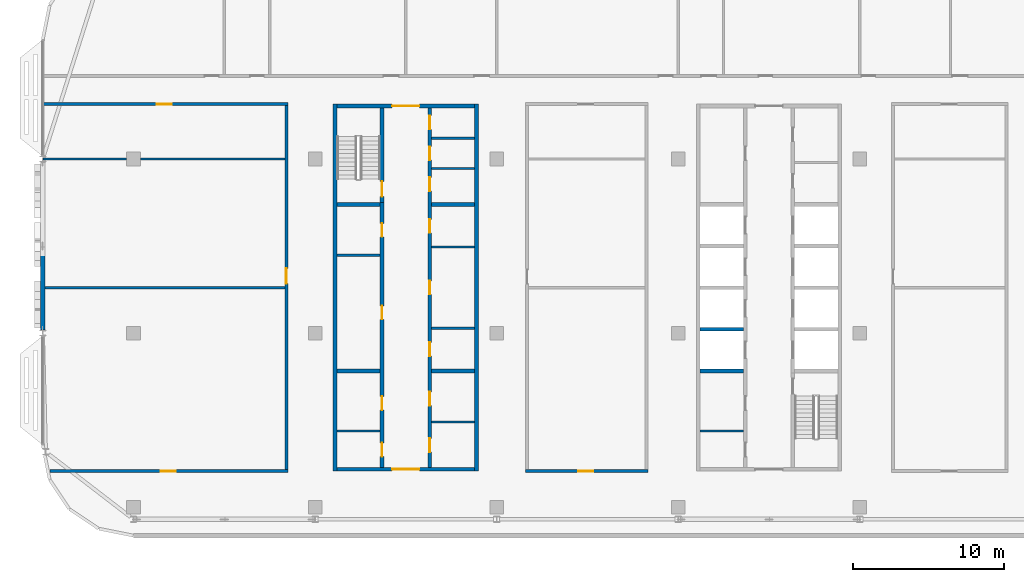
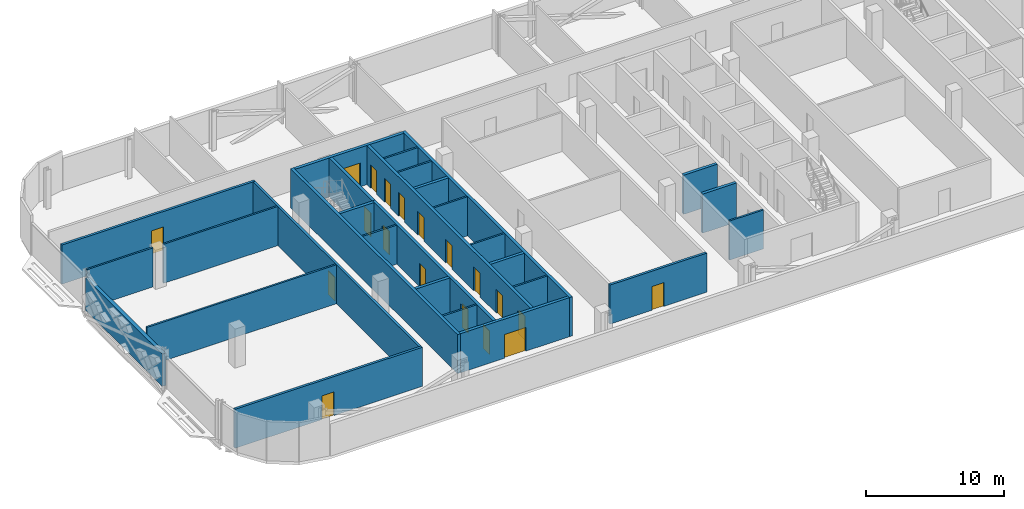
# One storey, part 13 of 28: 29 walls, 19 doors, 19 openings.
"""IFC4 building model written with IfcOpenShell, lengths in metres."""

from ifc_helpers import new_model, si_unit, direction, frame, frame_2d, origin, place, context, subcontext, project, spatial, rectangle, extrude, material, layer, layer_set, type_object, element, fill, save


model = new_model("IFC4")

# Units and contexts
model_context = context("Model", 3, precision=1e-05, world=origin(), true_north=direction((0.0, 1.0)))
body_context = subcontext(model_context, "Body", "Model", "MODEL_VIEW")
ifc_project = project(units=[si_unit("LENGTHUNIT", "METRE"), si_unit("AREAUNIT", "SQUARE_METRE"), si_unit("VOLUMEUNIT", "CUBIC_METRE"), si_unit("PLANEANGLEUNIT", "RADIAN"), si_unit("MASSUNIT", "GRAM", prefix="KILO")], contexts=[model_context])

# Site, building, storey
site_placement = place(None, origin())
site = spatial("IfcSite", under=ifc_project, at=site_placement, CompositionType="ELEMENT")
building_placement = place(site_placement, origin())
building = spatial("IfcBuilding", under=site, at=building_placement, Name="Mahtab Terrace Research Tower", CompositionType="ELEMENT")
storey_placement = place(building_placement, frame((0.0, 0.0, 270.89990234375)))
storey = spatial("IfcBuildingStorey", under=building, at=storey_placement, Name="L66", CompositionType="ELEMENT", Elevation=270.89990234375)

# Walls
ifc_material_1 = material(Name="Gypsum board partition")
ifc_layer_1 = layer(ifc_material_1, 0.14990234375)
ifc_layer_set_1 = layer_set([ifc_layer_1], Name="Core partition 150")
wall_type_1 = type_object("IfcWallType", Name="Core partition 150", PredefinedType="PARTITIONING", material=ifc_layer_set_1)
for number, where, z_axis, x_axis, name in (
    (1, (-28.550048828125, 5.14990234375, 0.0), (0.0, 0.0, 1.0), (1.0, 0.0, 0.0), "Core wall A pWL215"),
    (2, (-22.300048828125, 0.3125, 0.0), (0.0, 0.0, 1.0), (1.0, 0.0, 0.0), "Core wall A pEL-269"),
    (3, (-22.300048828125, 5.6875, 0.0), (0.0, 0.0, 1.0), (1.0, 0.0, 0.0), "Core wall A pEL269"),
    (4, (-28.550048828125, -6.47509765625, 0.0), (0.0, 0.0, 1.0), (1.0, 0.0, 0.0), "Core wall A pWS-948"),
    (5, (-22.300048828125, -5.875, 0.0), (0.0, 0.0, 1.0), (1.0, 0.0, 0.0), "Core wall A pES-888"),
    (6, (-22.300048828125, 10.875, 0.0), (0.0, 0.0, 1.0), (1.0, 0.0, 0.0), "Core wall A pEN788"),
    (7, (-22.300048828125, 12.875, 0.0), (0.0, 0.0, 1.0), (1.0, 0.0, 0.0), "Core wall A pEN988"),
    (8, (-4.550048828125, -6.47509765625, 0.0), (0.0, 0.0, 1.0), (1.0, 0.0, 0.0), "Core wall B pWS-948"),
):
    element("IfcWall", number, at=place(storey_placement, frame(where, z_axis=z_axis, x_axis=x_axis)), inside=storey, type_object=wall_type_1, Name=name, PredefinedType="PARTITIONING", context=body_context, shape_type="SweptSolid", body=[
        extrude(rectangle(XDim=2.85009765625, YDim=0.14990234375, at=frame_2d((1.425048828125, 0.0))), origin(), (0.0, 0.0, 1.0), 3.460205078125),
    ])
ifc_material_2 = material(Name="Concrete C70/85", Category="concrete")
ifc_layer_2 = layer(ifc_material_2, 0.25)
ifc_layer_set_2 = layer_set([ifc_layer_2], Name="Core wall 250")
wall_type_2 = type_object("IfcWallType", Name="Core wall 250", PredefinedType="SOLIDWALL", material=ifc_layer_set_2)
for number, where, z_axis, x_axis, name in (
    (9, (-28.675048828125, 15.125, 0.0), (0.0, 0.0, 1.0), (0.0, -1.0, 0.0), "Core wall A outerW"),
    (10, (-19.324951171875, -9.125, 0.0), (0.0, 0.0, 1.0), (0.0, 1.0, 0.0), "Core wall A outerE"),
):
    element("IfcWall", number, at=place(storey_placement, frame(where, z_axis=z_axis, x_axis=x_axis)), inside=storey, type_object=wall_type_2, Name=name, PredefinedType="SOLIDWALL", context=body_context, shape_type="SweptSolid", body=[
        extrude(rectangle(XDim=24.25, YDim=0.25, at=frame_2d((12.125, 0.0))), origin(), (0.0, 0.0, 1.0), 3.460205078125),
    ])

# Wall, opening, door
wall_1_placement = place(storey_placement, frame((-19.449951171875, -9.0, 0.0), z_axis=(0.0, 0.0, 1.0), x_axis=(-1.0, 0.0, 0.0)))
wall_1 = element("IfcWall", 11, at=wall_1_placement, inside=storey, type_object=wall_type_2, Name="Core wall A endS", PredefinedType="SOLIDWALL", context=body_context, shape_type="SweptSolid", body=[
    extrude(rectangle(XDim=9.10009765625, YDim=0.25, at=frame_2d((4.550048828125, 0.0))), origin(), (0.0, 0.0, 1.0), 3.460205078125),
])
opening_1_placement = place(wall_1_placement, frame((3.64990234375, 0.0, 0.0)))
opening_1 = element("IfcOpeningElement", 12, at=opening_1_placement, cuts=wall_1, Name="Opening A-S1", PredefinedType="OPENING", context=body_context, shape_type="SweptSolid", body=[
    extrude(rectangle(XDim=1.800048828125, YDim=2.10009765625, at=frame_2d((0.89990234375, 1.050048828125))), frame((0.0, 0.135009765625, 0.0), z_axis=(0.0, -1.0, 0.0), x_axis=(1.0, 0.0, 0.0)), (0.0, 0.0, 1.0), 0.27001953125),
])
ifc_material_3 = material(Name="Steel fire door", Category="steel")
door_type_1 = type_object("IfcDoorType", Name="Lobby double door 1800x2100 1 HR", OperationType="DOUBLE_DOOR_SINGLE_SWING", PredefinedType="DOOR", material=ifc_material_3)
door_1_placement = place(opening_1_placement, origin())
door_1 = element("IfcDoor", 13, at=door_1_placement, inside=storey, type_object=door_type_1, Name="Core entrance door A S", OperationType="DOUBLE_DOOR_SINGLE_SWING", OverallHeight=2.10009765625, OverallWidth=1.800048828125, PredefinedType="DOOR", context=body_context, shape_type="SweptSolid", body=[
    extrude(rectangle(XDim=1.800048828125, YDim=2.10009765625, at=frame_2d((0.89990234375, 1.050048828125))), frame((0.0, 0.02490234375, 0.0), z_axis=(0.0, -1.0, 0.0), x_axis=(1.0, 0.0, 0.0)), (0.0, 0.0, 1.0), 0.050048828125),
])
fill(opening_1, door_1)

wall_2_placement = place(storey_placement, frame((-28.550048828125, 15.0, 0.0), z_axis=(0.0, 0.0, 1.0), x_axis=(1.0, 0.0, 0.0)))
wall_2 = element("IfcWall", 14, at=wall_2_placement, inside=storey, type_object=wall_type_2, Name="Core wall A endN", PredefinedType="SOLIDWALL", context=body_context, shape_type="SweptSolid", body=[
    extrude(rectangle(XDim=9.10009765625, YDim=0.25, at=frame_2d((4.550048828125, 0.0))), origin(), (0.0, 0.0, 1.0), 3.460205078125),
])
opening_2_placement = place(wall_2_placement, frame((3.64990234375, 0.0, 0.0)))
opening_2 = element("IfcOpeningElement", 15, at=opening_2_placement, cuts=wall_2, Name="Opening A-N1", PredefinedType="OPENING", context=body_context, shape_type="SweptSolid", body=[
    extrude(rectangle(XDim=1.800048828125, YDim=2.10009765625, at=frame_2d((0.89990234375, 1.050048828125))), frame((0.0, 0.135009765625, 0.0), z_axis=(0.0, -1.0, 0.0), x_axis=(1.0, 0.0, 0.0)), (0.0, 0.0, 1.0), 0.27001953125),
])
door_2_placement = place(opening_2_placement, origin())
door_2 = element("IfcDoor", 16, at=door_2_placement, inside=storey, type_object=door_type_1, Name="Core entrance door A N", OperationType="DOUBLE_DOOR_SINGLE_SWING", OverallHeight=2.10009765625, OverallWidth=1.800048828125, PredefinedType="DOOR", context=body_context, shape_type="SweptSolid", body=[
    extrude(rectangle(XDim=1.800048828125, YDim=2.10009765625, at=frame_2d((0.89990234375, 1.050048828125))), frame((0.0, 0.02490234375, 0.0), z_axis=(0.0, -1.0, 0.0), x_axis=(1.0, 0.0, 0.0)), (0.0, 0.0, 1.0), 0.050048828125),
])
fill(opening_2, door_2)

# Wall, openings, doors
wall_3_placement = place(storey_placement, frame((-25.574951171875, -8.875, 0.0), z_axis=(0.0, 0.0, 1.0), x_axis=(0.0, 1.0, 0.0)))
wall_3 = element("IfcWall", 17, at=wall_3_placement, inside=storey, type_object=wall_type_2, Name="Core wall A innerWSL", PredefinedType="SOLIDWALL", context=body_context, shape_type="SweptSolid", body=[
    extrude(rectangle(XDim=17.5, YDim=0.25, at=frame_2d((8.75, 0.0))), origin(), (0.0, 0.0, 1.0), 3.460205078125),
])
opening_3_placement = place(wall_3_placement, frame((9.77490234375, 0.0, 0.0)))
opening_3 = element("IfcOpeningElement", 18, at=opening_3_placement, cuts=wall_3, Name="Opening A-R1", PredefinedType="OPENING", context=body_context, shape_type="SweptSolid", body=[
    extrude(rectangle(XDim=0.89990234375, YDim=2.10009765625, at=frame_2d((0.449951171875, 1.050048828125))), frame((0.0, 0.135009765625, 0.0), z_axis=(0.0, -1.0, 0.0), x_axis=(1.0, 0.0, 0.0)), (0.0, 0.0, 1.0), 0.27001953125),
])
opening_4_placement = place(wall_3_placement, frame((15.22509765625, 0.0, 0.0)))
opening_4 = element("IfcOpeningElement", 19, at=opening_4_placement, cuts=wall_3, Name="Opening A-R2", PredefinedType="OPENING", context=body_context, shape_type="SweptSolid", body=[
    extrude(rectangle(XDim=0.89990234375, YDim=2.10009765625, at=frame_2d((0.449951171875, 1.050048828125))), frame((0.0, 0.135009765625, 0.0), z_axis=(0.0, -1.0, 0.0), x_axis=(1.0, 0.0, 0.0)), (0.0, 0.0, 1.0), 0.27001953125),
])
opening_5_placement = place(wall_3_placement, frame((0.71240234375, 0.0, 0.0)))
opening_5 = element("IfcOpeningElement", 20, at=opening_5_placement, cuts=wall_3, Name="Opening A-R6", PredefinedType="OPENING", context=body_context, shape_type="SweptSolid", body=[
    extrude(rectangle(XDim=0.89990234375, YDim=2.10009765625, at=frame_2d((0.449951171875, 1.050048828125))), frame((0.0, 0.135009765625, 0.0), z_axis=(0.0, -1.0, 0.0), x_axis=(1.0, 0.0, 0.0)), (0.0, 0.0, 1.0), 0.27001953125),
])
opening_6_placement = place(wall_3_placement, frame((3.78759765625, 0.0, 0.0)))
opening_6 = element("IfcOpeningElement", 21, at=opening_6_placement, cuts=wall_3, Name="Opening A-R7", PredefinedType="OPENING", context=body_context, shape_type="SweptSolid", body=[
    extrude(rectangle(XDim=0.89990234375, YDim=2.10009765625, at=frame_2d((0.449951171875, 1.050048828125))), frame((0.0, 0.135009765625, 0.0), z_axis=(0.0, -1.0, 0.0), x_axis=(1.0, 0.0, 0.0)), (0.0, 0.0, 1.0), 0.27001953125),
])
door_type_2 = type_object("IfcDoorType", Name="Room door 900x2100 1 HR", OperationType="NOTDEFINED", PredefinedType="DOOR", material=ifc_material_3)
door_3_placement = place(opening_3_placement, origin())
door_3 = element("IfcDoor", 22, at=door_3_placement, inside=storey, type_object=door_type_2, Name="Chemical store door", OperationType="SINGLE_SWING_LEFT", OverallHeight=2.10009765625, OverallWidth=0.89990234375, PredefinedType="DOOR", context=body_context, shape_type="SweptSolid", body=[
    extrude(rectangle(XDim=0.89990234375, YDim=2.10009765625, at=frame_2d((0.449951171875, 1.050048828125))), frame((0.0, 0.02490234375, 0.0), z_axis=(0.0, -1.0, 0.0), x_axis=(1.0, 0.0, 0.0)), (0.0, 0.0, 1.0), 0.050048828125),
])
fill(opening_3, door_3)
door_4_placement = place(opening_4_placement, origin())
door_4 = element("IfcDoor", 23, at=door_4_placement, inside=storey, type_object=door_type_2, Name="Waste room door", OperationType="SINGLE_SWING_RIGHT", OverallHeight=2.10009765625, OverallWidth=0.89990234375, PredefinedType="DOOR", context=body_context, shape_type="SweptSolid", body=[
    extrude(rectangle(XDim=0.89990234375, YDim=2.10009765625, at=frame_2d((0.449951171875, 1.050048828125))), frame((0.0, 0.02490234375, 0.0), z_axis=(0.0, -1.0, 0.0), x_axis=(1.0, 0.0, 0.0)), (0.0, 0.0, 1.0), 0.050048828125),
])
fill(opening_4, door_4)
door_5_placement = place(opening_5_placement, origin())
door_5 = element("IfcDoor", 24, at=door_5_placement, inside=storey, type_object=door_type_2, Name="Accessible WC door", OperationType="SINGLE_SWING_RIGHT", OverallHeight=2.10009765625, OverallWidth=0.89990234375, PredefinedType="DOOR", context=body_context, shape_type="SweptSolid", body=[
    extrude(rectangle(XDim=0.89990234375, YDim=2.10009765625, at=frame_2d((0.449951171875, 1.050048828125))), frame((0.0, 0.02490234375, 0.0), z_axis=(0.0, -1.0, 0.0), x_axis=(1.0, 0.0, 0.0)), (0.0, 0.0, 1.0), 0.050048828125),
])
fill(opening_5, door_5)
door_6_placement = place(opening_6_placement, origin())
door_6 = element("IfcDoor", 25, at=door_6_placement, inside=storey, type_object=door_type_2, Name="WC block door", OperationType="SINGLE_SWING_LEFT", OverallHeight=2.10009765625, OverallWidth=0.89990234375, PredefinedType="DOOR", context=body_context, shape_type="SweptSolid", body=[
    extrude(rectangle(XDim=0.89990234375, YDim=2.10009765625, at=frame_2d((0.449951171875, 1.050048828125))), frame((0.0, 0.02490234375, 0.0), z_axis=(0.0, -1.0, 0.0), x_axis=(1.0, 0.0, 0.0)), (0.0, 0.0, 1.0), 0.050048828125),
])
fill(opening_6, door_6)

# Wall, opening, door
wall_4_placement = place(storey_placement, frame((-25.574951171875, 14.875, 0.0), z_axis=(0.0, 0.0, 1.0), x_axis=(0.0, -1.0, 0.0)))
wall_4 = element("IfcWall", 26, at=wall_4_placement, inside=storey, type_object=wall_type_2, Name="Core wall A innerWN", PredefinedType="SOLIDWALL", context=body_context, shape_type="SweptSolid", body=[
    extrude(rectangle(XDim=6.25, YDim=0.25, at=frame_2d((3.125, 0.0))), origin(), (0.0, 0.0, 1.0), 3.460205078125),
])
opening_7_placement = place(wall_4_placement, frame((4.85009765625, 0.0, 0.0)))
opening_7 = element("IfcOpeningElement", 27, at=opening_7_placement, cuts=wall_4, Name="Opening A-ST1", PredefinedType="OPENING", context=body_context, shape_type="SweptSolid", body=[
    extrude(rectangle(XDim=1.0, YDim=2.10009765625, at=frame_2d((0.5, 1.050048828125))), frame((0.0, 0.135009765625, 0.0), z_axis=(0.0, -1.0, 0.0), x_axis=(1.0, 0.0, 0.0)), (0.0, 0.0, 1.0), 0.27001953125),
])
door_type_3 = type_object("IfcDoorType", Name="Stair door 1000x2100 1.5 HR", OperationType="NOTDEFINED", PredefinedType="DOOR", material=ifc_material_3)
door_7_placement = place(opening_7_placement, origin())
door_7 = element("IfcDoor", 28, at=door_7_placement, inside=storey, type_object=door_type_3, Name="Stair door ST1 L66", OperationType="SINGLE_SWING_LEFT", OverallHeight=2.10009765625, OverallWidth=1.0, PredefinedType="DOOR", context=body_context, shape_type="SweptSolid", body=[
    extrude(rectangle(XDim=1.0, YDim=2.10009765625, at=frame_2d((0.5, 1.050048828125))), frame((0.0, 0.02490234375, 0.0), z_axis=(0.0, -1.0, 0.0), x_axis=(1.0, 0.0, 0.0)), (0.0, 0.0, 1.0), 0.050048828125),
])
fill(opening_7, door_7)

# Wall, openings, doors
wall_5_placement = place(storey_placement, frame((-22.425048828125, 14.875, 0.0), z_axis=(0.0, 0.0, 1.0), x_axis=(0.0, -1.0, 0.0)))
wall_5 = element("IfcWall", 29, at=wall_5_placement, inside=storey, type_object=wall_type_2, Name="Core wall A innerESLN", PredefinedType="SOLIDWALL", context=body_context, shape_type="SweptSolid", body=[
    extrude(rectangle(XDim=23.75, YDim=0.25, at=frame_2d((11.875, 0.0))), origin(), (0.0, 0.0, 1.0), 3.460205078125),
])
opening_8_placement = place(wall_5_placement, frame((15.493896484375, 0.0, 0.0)))
opening_8 = element("IfcOpeningElement", 30, at=opening_8_placement, cuts=wall_5, Name="Opening A-R3", PredefinedType="OPENING", context=body_context, shape_type="SweptSolid", body=[
    extrude(rectangle(XDim=0.89990234375, YDim=2.10009765625, at=frame_2d((0.449951171875, 1.050048828125))), frame((0.0, 0.135009765625, 0.0), z_axis=(0.0, -1.0, 0.0), x_axis=(1.0, 0.0, 0.0)), (0.0, 0.0, 1.0), 0.27001953125),
])
opening_9_placement = place(wall_5_placement, frame((11.425048828125, 0.0, 0.0)))
opening_9 = element("IfcOpeningElement", 31, at=opening_9_placement, cuts=wall_5, Name="Opening A-R4", PredefinedType="OPENING", context=body_context, shape_type="SweptSolid", body=[
    extrude(rectangle(XDim=0.89990234375, YDim=2.10009765625, at=frame_2d((0.449951171875, 1.050048828125))), frame((0.0, 0.135009765625, 0.0), z_axis=(0.0, -1.0, 0.0), x_axis=(1.0, 0.0, 0.0)), (0.0, 0.0, 1.0), 0.27001953125),
])
opening_10_placement = place(wall_5_placement, frame((7.356201171875, 0.0, 0.0)))
opening_10 = element("IfcOpeningElement", 32, at=opening_10_placement, cuts=wall_5, Name="Opening A-R5", PredefinedType="OPENING", context=body_context, shape_type="SweptSolid", body=[
    extrude(rectangle(XDim=0.89990234375, YDim=2.10009765625, at=frame_2d((0.449951171875, 1.050048828125))), frame((0.0, 0.135009765625, 0.0), z_axis=(0.0, -1.0, 0.0), x_axis=(1.0, 0.0, 0.0)), (0.0, 0.0, 1.0), 0.27001953125),
])
opening_11_placement = place(wall_5_placement, frame((21.83740234375, 0.0, 0.0)))
opening_11 = element("IfcOpeningElement", 33, at=opening_11_placement, cuts=wall_5, Name="Opening A-R8", PredefinedType="OPENING", context=body_context, shape_type="SweptSolid", body=[
    extrude(rectangle(XDim=0.89990234375, YDim=2.10009765625, at=frame_2d((0.449951171875, 1.050048828125))), frame((0.0, 0.135009765625, 0.0), z_axis=(0.0, -1.0, 0.0), x_axis=(1.0, 0.0, 0.0)), (0.0, 0.0, 1.0), 0.27001953125),
])
opening_12_placement = place(wall_5_placement, frame((18.762451171875, 0.0, 0.0)))
opening_12 = element("IfcOpeningElement", 34, at=opening_12_placement, cuts=wall_5, Name="Opening A-R9", PredefinedType="OPENING", context=body_context, shape_type="SweptSolid", body=[
    extrude(rectangle(XDim=0.89990234375, YDim=2.10009765625, at=frame_2d((0.449951171875, 1.050048828125))), frame((0.0, 0.135009765625, 0.0), z_axis=(0.0, -1.0, 0.0), x_axis=(1.0, 0.0, 0.0)), (0.0, 0.0, 1.0), 0.27001953125),
])
opening_13_placement = place(wall_5_placement, frame((4.58740234375, 0.0, 0.0)))
opening_13 = element("IfcOpeningElement", 35, at=opening_13_placement, cuts=wall_5, Name="Opening A-R10", PredefinedType="OPENING", context=body_context, shape_type="SweptSolid", body=[
    extrude(rectangle(XDim=0.89990234375, YDim=2.10009765625, at=frame_2d((0.449951171875, 1.050048828125))), frame((0.0, 0.135009765625, 0.0), z_axis=(0.0, -1.0, 0.0), x_axis=(1.0, 0.0, 0.0)), (0.0, 0.0, 1.0), 0.27001953125),
])
opening_14_placement = place(wall_5_placement, frame((2.550048828125, 0.0, 0.0)))
opening_14 = element("IfcOpeningElement", 36, at=opening_14_placement, cuts=wall_5, Name="Opening A-R11", PredefinedType="OPENING", context=body_context, shape_type="SweptSolid", body=[
    extrude(rectangle(XDim=0.89990234375, YDim=2.10009765625, at=frame_2d((0.449951171875, 1.050048828125))), frame((0.0, 0.135009765625, 0.0), z_axis=(0.0, -1.0, 0.0), x_axis=(1.0, 0.0, 0.0)), (0.0, 0.0, 1.0), 0.27001953125),
])
opening_15_placement = place(wall_5_placement, frame((0.512451171875, 0.0, 0.0)))
opening_15 = element("IfcOpeningElement", 37, at=opening_15_placement, cuts=wall_5, Name="Opening A-R12", PredefinedType="OPENING", context=body_context, shape_type="SweptSolid", body=[
    extrude(rectangle(XDim=0.89990234375, YDim=2.10009765625, at=frame_2d((0.449951171875, 1.050048828125))), frame((0.0, 0.135009765625, 0.0), z_axis=(0.0, -1.0, 0.0), x_axis=(1.0, 0.0, 0.0)), (0.0, 0.0, 1.0), 0.27001953125),
])
door_8_placement = place(opening_8_placement, origin())
door_8 = element("IfcDoor", 38, at=door_8_placement, inside=storey, type_object=door_type_2, Name="Comms room door", OperationType="SINGLE_SWING_LEFT", OverallHeight=2.10009765625, OverallWidth=0.89990234375, PredefinedType="DOOR", context=body_context, shape_type="SweptSolid", body=[
    extrude(rectangle(XDim=0.89990234375, YDim=2.10009765625, at=frame_2d((0.449951171875, 1.050048828125))), frame((0.0, 0.02490234375, 0.0), z_axis=(0.0, -1.0, 0.0), x_axis=(1.0, 0.0, 0.0)), (0.0, 0.0, 1.0), 0.050048828125),
])
fill(opening_8, door_8)
door_9_placement = place(opening_9_placement, origin())
door_9 = element("IfcDoor", 39, at=door_9_placement, inside=storey, type_object=door_type_2, Name="Meeting alcove door", OperationType="SINGLE_SWING_RIGHT", OverallHeight=2.10009765625, OverallWidth=0.89990234375, PredefinedType="DOOR", context=body_context, shape_type="SweptSolid", body=[
    extrude(rectangle(XDim=0.89990234375, YDim=2.10009765625, at=frame_2d((0.449951171875, 1.050048828125))), frame((0.0, 0.02490234375, 0.0), z_axis=(0.0, -1.0, 0.0), x_axis=(1.0, 0.0, 0.0)), (0.0, 0.0, 1.0), 0.050048828125),
])
fill(opening_9, door_9)
door_10_placement = place(opening_10_placement, origin())
door_10 = element("IfcDoor", 40, at=door_10_placement, inside=storey, type_object=door_type_2, Name="Linen store door", OperationType="SINGLE_SWING_LEFT", OverallHeight=2.10009765625, OverallWidth=0.89990234375, PredefinedType="DOOR", context=body_context, shape_type="SweptSolid", body=[
    extrude(rectangle(XDim=0.89990234375, YDim=2.10009765625, at=frame_2d((0.449951171875, 1.050048828125))), frame((0.0, 0.02490234375, 0.0), z_axis=(0.0, -1.0, 0.0), x_axis=(1.0, 0.0, 0.0)), (0.0, 0.0, 1.0), 0.050048828125),
])
fill(opening_10, door_10)
door_11_placement = place(opening_11_placement, origin())
door_11 = element("IfcDoor", 41, at=door_11_placement, inside=storey, type_object=door_type_2, Name="Housekeeping store door", OperationType="SINGLE_SWING_RIGHT", OverallHeight=2.10009765625, OverallWidth=0.89990234375, PredefinedType="DOOR", context=body_context, shape_type="SweptSolid", body=[
    extrude(rectangle(XDim=0.89990234375, YDim=2.10009765625, at=frame_2d((0.449951171875, 1.050048828125))), frame((0.0, 0.02490234375, 0.0), z_axis=(0.0, -1.0, 0.0), x_axis=(1.0, 0.0, 0.0)), (0.0, 0.0, 1.0), 0.050048828125),
])
fill(opening_11, door_11)
door_12_placement = place(opening_12_placement, origin())
door_12 = element("IfcDoor", 42, at=door_12_placement, inside=storey, type_object=door_type_2, Name="Electrical riser room door", OperationType="SINGLE_SWING_LEFT", OverallHeight=2.10009765625, OverallWidth=0.89990234375, PredefinedType="DOOR", context=body_context, shape_type="SweptSolid", body=[
    extrude(rectangle(XDim=0.89990234375, YDim=2.10009765625, at=frame_2d((0.449951171875, 1.050048828125))), frame((0.0, 0.02490234375, 0.0), z_axis=(0.0, -1.0, 0.0), x_axis=(1.0, 0.0, 0.0)), (0.0, 0.0, 1.0), 0.050048828125),
])
fill(opening_12, door_12)
door_13_placement = place(opening_13_placement, origin())
door_13 = element("IfcDoor", 43, at=door_13_placement, inside=storey, type_object=door_type_2, Name="Comms riser room door", OperationType="SINGLE_SWING_RIGHT", OverallHeight=2.10009765625, OverallWidth=0.89990234375, PredefinedType="DOOR", context=body_context, shape_type="SweptSolid", body=[
    extrude(rectangle(XDim=0.89990234375, YDim=2.10009765625, at=frame_2d((0.449951171875, 1.050048828125))), frame((0.0, 0.02490234375, 0.0), z_axis=(0.0, -1.0, 0.0), x_axis=(1.0, 0.0, 0.0)), (0.0, 0.0, 1.0), 0.050048828125),
])
fill(opening_13, door_13)
door_14_placement = place(opening_14_placement, origin())
door_14 = element("IfcDoor", 44, at=door_14_placement, inside=storey, type_object=door_type_2, Name="Pantry door", OperationType="SINGLE_SWING_LEFT", OverallHeight=2.10009765625, OverallWidth=0.89990234375, PredefinedType="DOOR", context=body_context, shape_type="SweptSolid", body=[
    extrude(rectangle(XDim=0.89990234375, YDim=2.10009765625, at=frame_2d((0.449951171875, 1.050048828125))), frame((0.0, 0.02490234375, 0.0), z_axis=(0.0, -1.0, 0.0), x_axis=(1.0, 0.0, 0.0)), (0.0, 0.0, 1.0), 0.050048828125),
])
fill(opening_14, door_14)
door_15_placement = place(opening_15_placement, origin())
door_15 = element("IfcDoor", 45, at=door_15_placement, inside=storey, type_object=door_type_2, Name="Cleaners store door", OperationType="SINGLE_SWING_RIGHT", OverallHeight=2.10009765625, OverallWidth=0.89990234375, PredefinedType="DOOR", context=body_context, shape_type="SweptSolid", body=[
    extrude(rectangle(XDim=0.89990234375, YDim=2.10009765625, at=frame_2d((0.449951171875, 1.050048828125))), frame((0.0, 0.02490234375, 0.0), z_axis=(0.0, -1.0, 0.0), x_axis=(1.0, 0.0, 0.0)), (0.0, 0.0, 1.0), 0.050048828125),
])
fill(opening_15, door_15)

# Walls
for number, where, z_axis, x_axis, name in (
    (46, (-28.550048828125, -2.5, 0.0), (0.0, 0.0, 1.0), (1.0, 0.0, 0.0), "Core wall A divW0"),
    (47, (-28.550048828125, 8.5, 0.0), (0.0, 0.0, 1.0), (1.0, 0.0, 0.0), "Core wall A divW4"),
    (48, (-22.300048828125, -2.5, 0.0), (0.0, 0.0, 1.0), (1.0, 0.0, 0.0), "Core wall A divE0"),
    (49, (-22.300048828125, 8.5, 0.0), (0.0, 0.0, 1.0), (1.0, 0.0, 0.0), "Core wall A divE4"),
    (50, (-4.550048828125, -2.5, 0.0), (0.0, 0.0, 1.0), (1.0, 0.0, 0.0), "Core wall B divW0"),
    (51, (-4.550048828125, 0.25, 0.0), (0.0, 0.0, 1.0), (1.0, 0.0, 0.0), "Core wall B divW1"),
):
    element("IfcWall", number, at=place(storey_placement, frame(where, z_axis=z_axis, x_axis=x_axis)), inside=storey, type_object=wall_type_2, Name=name, PredefinedType="SOLIDWALL", context=body_context, shape_type="SweptSolid", body=[
        extrude(rectangle(XDim=2.85009765625, YDim=0.25, at=frame_2d((1.425048828125, 0.0))), origin(), (0.0, 0.0, 1.0), 3.460205078125),
    ])
ifc_material_4 = material(Name="Black aluminium cladding panel", Category="aluminium")
ifc_layer_3 = layer(ifc_material_4, 0.300048828125)
ifc_layer_set_3 = layer_set([ifc_layer_3], Name="Opaque facade wall 300")
wall_type_3 = type_object("IfcWallType", Name="Opaque facade wall 300", PredefinedType="NOTDEFINED", material=ifc_layer_set_3)
wall_6_placement = place(storey_placement, frame((-48.0, 11.31201171875, 0.0), z_axis=(0.0, 0.0, 1.0), x_axis=(0.0, -1.0, 0.0)))
element("IfcWall", 52, at=wall_6_placement, inside=storey, type_object=wall_type_3, Name="Opaque facade wall L66 W9", PredefinedType="NOTDEFINED", context=body_context, shape_type="SweptSolid", body=[
    extrude(rectangle(XDim=11.1240234375, YDim=0.300048828125, at=frame_2d((5.56201171875, 0.0))), origin(), (0.0, 0.0, 1.0), 2.85302734375),
])

# Wall, opening, door
ifc_material_5 = material(Name="Gypsum board corridor wall on steel studs", Category="steel")
ifc_layer_4 = layer(ifc_material_5, 0.199951171875)
ifc_layer_set_4 = layer_set([ifc_layer_4], Name="WALL CORRIDOR 200")
wall_type_4 = type_object("IfcWallType", Name="WALL CORRIDOR 200", PredefinedType="PARTITIONING", material=ifc_layer_set_4)
wall_7_placement = place(storey_placement, frame((-47.501953125, -9.125, 0.0), z_axis=(0.0, 0.0, 1.0), x_axis=(1.0, 0.0, 0.0)))
wall_7 = element("IfcWall", 53, at=wall_7_placement, inside=storey, type_object=wall_type_4, Name="L66-W001", PredefinedType="PARTITIONING", context=body_context, shape_type="SweptSolid", body=[
    extrude(rectangle(XDim=15.701904296875, YDim=0.199951171875, at=frame_2d((7.85107421875, 0.0))), origin(), (0.0, 0.0, 1.0), 3.460205078125),
])
opening_16_placement = place(wall_7_placement, frame((7.300048828125, 0.0, 0.0)))
opening_16 = element("IfcOpeningElement", 54, at=opening_16_placement, cuts=wall_7, Name="Opening L66-101", PredefinedType="OPENING", context=body_context, shape_type="SweptSolid", body=[
    extrude(rectangle(XDim=1.0, YDim=2.10009765625, at=frame_2d((0.5, 1.050048828125))), frame((0.0, 0.10986328125, 0.0), z_axis=(0.0, -1.0, 0.0), x_axis=(1.0, 0.0, 0.0)), (0.0, 0.0, 1.0), 0.219970703125),
])
ifc_material_6 = material(Name="Timber door leaf in steel frame", Category="steel")
door_type_4 = type_object("IfcDoorType", Name="DOOR 1000X2100 FD30S", OperationType="SINGLE_SWING_LEFT", PredefinedType="DOOR", material=ifc_material_6)
door_16_placement = place(opening_16_placement, origin())
door_16 = element("IfcDoor", 55, at=door_16_placement, inside=storey, type_object=door_type_4, Name="Door L66-101", OperationType="SINGLE_SWING_LEFT", OverallHeight=2.10009765625, OverallWidth=1.0, PredefinedType="DOOR", context=body_context, shape_type="SweptSolid", body=[
    extrude(rectangle(XDim=1.0, YDim=2.10009765625, at=frame_2d((0.5, 1.050048828125))), frame((0.0, 0.02490234375, 0.0), z_axis=(0.0, -1.0, 0.0), x_axis=(1.0, 0.0, 0.0)), (0.0, 0.0, 1.0), 0.050048828125),
])
fill(opening_16, door_16)

wall_8_placement = place(storey_placement, frame((-16.10009765625, -9.125, 0.0), z_axis=(0.0, 0.0, 1.0), x_axis=(1.0, 0.0, 0.0)))
wall_8 = element("IfcWall", 56, at=wall_8_placement, inside=storey, type_object=wall_type_4, Name="L66-W002", PredefinedType="PARTITIONING", context=body_context, shape_type="SweptSolid", body=[
    extrude(rectangle(XDim=8.10009765625, YDim=0.199951171875, at=frame_2d((4.050048828125, 0.0))), origin(), (0.0, 0.0, 1.0), 3.460205078125),
])
opening_17_placement = place(wall_8_placement, frame((3.5, 0.0, 0.0)))
opening_17 = element("IfcOpeningElement", 57, at=opening_17_placement, cuts=wall_8, Name="Opening L66-102", PredefinedType="OPENING", context=body_context, shape_type="SweptSolid", body=[
    extrude(rectangle(XDim=1.0, YDim=2.10009765625, at=frame_2d((0.5, 1.050048828125))), frame((0.0, 0.10986328125, 0.0), z_axis=(0.0, -1.0, 0.0), x_axis=(1.0, 0.0, 0.0)), (0.0, 0.0, 1.0), 0.219970703125),
])
door_17_placement = place(opening_17_placement, origin())
door_17 = element("IfcDoor", 58, at=door_17_placement, inside=storey, type_object=door_type_4, Name="Door L66-102", OperationType="SINGLE_SWING_LEFT", OverallHeight=2.10009765625, OverallWidth=1.0, PredefinedType="DOOR", context=body_context, shape_type="SweptSolid", body=[
    extrude(rectangle(XDim=1.0, YDim=2.10009765625, at=frame_2d((0.5, 1.050048828125))), frame((0.0, 0.02490234375, 0.0), z_axis=(0.0, -1.0, 0.0), x_axis=(1.0, 0.0, 0.0)), (0.0, 0.0, 1.0), 0.050048828125),
])
fill(opening_17, door_17)

wall_9_placement = place(storey_placement, frame((-47.97509765625, 15.125, 0.0), z_axis=(0.0, 0.0, 1.0), x_axis=(1.0, 0.0, 0.0)))
wall_9 = element("IfcWall", 59, at=wall_9_placement, inside=storey, type_object=wall_type_4, Name="L66-W015", PredefinedType="PARTITIONING", context=body_context, shape_type="SweptSolid", body=[
    extrude(rectangle(XDim=16.175048828125, YDim=0.199951171875, at=frame_2d((8.08740234375, 0.0))), origin(), (0.0, 0.0, 1.0), 3.460205078125),
])
opening_18_placement = place(wall_9_placement, frame((7.5, 0.0, 0.0)))
opening_18 = element("IfcOpeningElement", 60, at=opening_18_placement, cuts=wall_9, Name="Opening L66-109", PredefinedType="OPENING", context=body_context, shape_type="SweptSolid", body=[
    extrude(rectangle(XDim=1.0, YDim=2.10009765625, at=frame_2d((0.5, 1.050048828125))), frame((0.0, 0.10986328125, 0.0), z_axis=(0.0, -1.0, 0.0), x_axis=(1.0, 0.0, 0.0)), (0.0, 0.0, 1.0), 0.219970703125),
])
door_18_placement = place(opening_18_placement, origin())
door_18 = element("IfcDoor", 61, at=door_18_placement, inside=storey, type_object=door_type_4, Name="Door L66-109", OperationType="SINGLE_SWING_RIGHT", OverallHeight=2.10009765625, OverallWidth=1.0, PredefinedType="DOOR", context=body_context, shape_type="SweptSolid", body=[
    extrude(rectangle(XDim=1.0, YDim=2.10009765625, at=frame_2d((0.5, 1.050048828125))), frame((0.0, 0.02490234375, 0.0), z_axis=(0.0, -1.0, 0.0), x_axis=(1.0, 0.0, 0.0)), (0.0, 0.0, 1.0), 0.050048828125),
])
fill(opening_18, door_18)

wall_10_placement = place(storey_placement, frame((-31.89990234375, -9.02490234375, 0.0), z_axis=(0.0, 0.0, 1.0), x_axis=(0.0, 1.0, 0.0)))
wall_10 = element("IfcWall", 62, at=wall_10_placement, inside=storey, type_object=wall_type_4, Name="L66-W022", PredefinedType="PARTITIONING", context=body_context, shape_type="SweptSolid", body=[
    extrude(rectangle(XDim=24.0498046875, YDim=0.199951171875, at=frame_2d((12.02490234375, 0.0))), origin(), (0.0, 0.0, 1.0), 3.460205078125),
])
opening_19_placement = place(wall_10_placement, frame((12.300048828125, 0.0, 0.0)))
opening_19 = element("IfcOpeningElement", 63, at=opening_19_placement, cuts=wall_10, Name="Opening L66-105", PredefinedType="OPENING", context=body_context, shape_type="SweptSolid", body=[
    extrude(rectangle(XDim=1.0, YDim=2.10009765625, at=frame_2d((0.5, 1.050048828125))), frame((0.0, 0.10986328125, 0.0), z_axis=(0.0, -1.0, 0.0), x_axis=(1.0, 0.0, 0.0)), (0.0, 0.0, 1.0), 0.219970703125),
])
door_19_placement = place(opening_19_placement, origin())
door_19 = element("IfcDoor", 64, at=door_19_placement, inside=storey, type_object=door_type_4, Name="Door L66-105", OperationType="SINGLE_SWING_RIGHT", OverallHeight=2.10009765625, OverallWidth=1.0, PredefinedType="DOOR", context=body_context, shape_type="SweptSolid", body=[
    extrude(rectangle(XDim=1.0, YDim=2.10009765625, at=frame_2d((0.5, 1.050048828125))), frame((0.0, 0.02490234375, 0.0), z_axis=(0.0, -1.0, 0.0), x_axis=(1.0, 0.0, 0.0)), (0.0, 0.0, 1.0), 0.050048828125),
])
fill(opening_19, door_19)

# Walls
ifc_material_7 = material(Name="Gypsum board partition on steel studs", Category="steel")
ifc_layer_5 = layer(ifc_material_7, 0.14990234375)
ifc_layer_set_5 = layer_set([ifc_layer_5], Name="WALL PARTITION 150")
wall_type_5 = type_object("IfcWallType", Name="WALL PARTITION 150", PredefinedType="PARTITIONING", material=ifc_layer_set_5)
wall_11_placement = place(storey_placement, frame((-47.85009765625, 3.0, 0.0), z_axis=(0.0, 0.0, 1.0), x_axis=(1.0, 0.0, 0.0)))
element("IfcWall", 65, at=wall_11_placement, inside=storey, type_object=wall_type_5, Name="L66-W005", PredefinedType="PARTITIONING", context=body_context, shape_type="SweptSolid", body=[
    extrude(rectangle(XDim=15.85009765625, YDim=0.14990234375, at=frame_2d((7.925048828125, 0.0))), origin(), (0.0, 0.0, 1.0), 3.460205078125),
])
wall_12_placement = place(storey_placement, frame((-47.97509765625, 11.5, 0.0), z_axis=(0.0, 0.0, 1.0), x_axis=(1.0, 0.0, 0.0)))
element("IfcWall", 66, at=wall_12_placement, inside=storey, type_object=wall_type_5, Name="L66-W009", PredefinedType="PARTITIONING", context=body_context, shape_type="SweptSolid", body=[
    extrude(rectangle(XDim=5.525146484375, YDim=0.14990234375, at=frame_2d((2.7626953125, 0.0))), origin(), (0.0, 0.0, 1.0), 3.460205078125),
])
wall_13_placement = place(storey_placement, frame((-41.550048828125, 11.5, 0.0), z_axis=(0.0, 0.0, 1.0), x_axis=(1.0, 0.0, 0.0)))
element("IfcWall", 67, at=wall_13_placement, inside=storey, type_object=wall_type_5, Name="L66-W010", PredefinedType="PARTITIONING", context=body_context, shape_type="SweptSolid", body=[
    extrude(rectangle(XDim=9.550048828125, YDim=0.14990234375, at=frame_2d((4.77490234375, 0.0))), origin(), (0.0, 0.0, 1.0), 3.460205078125),
])

save(model, "model.ifc")
